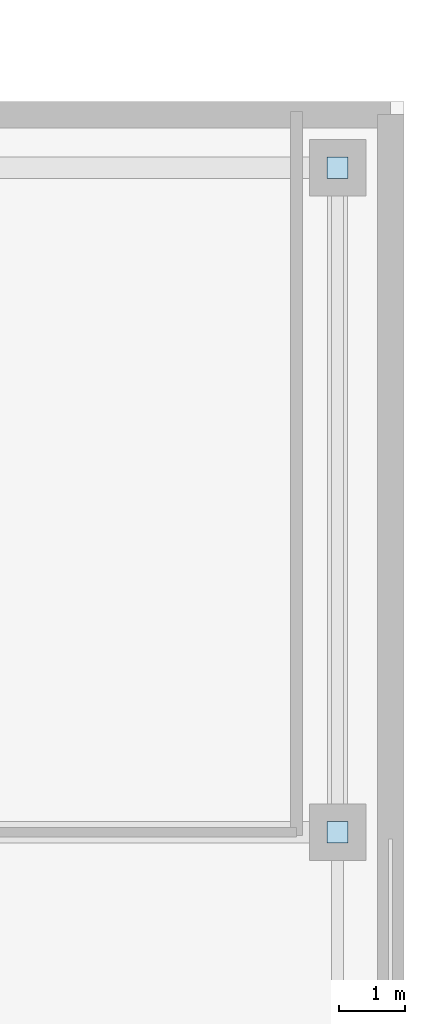
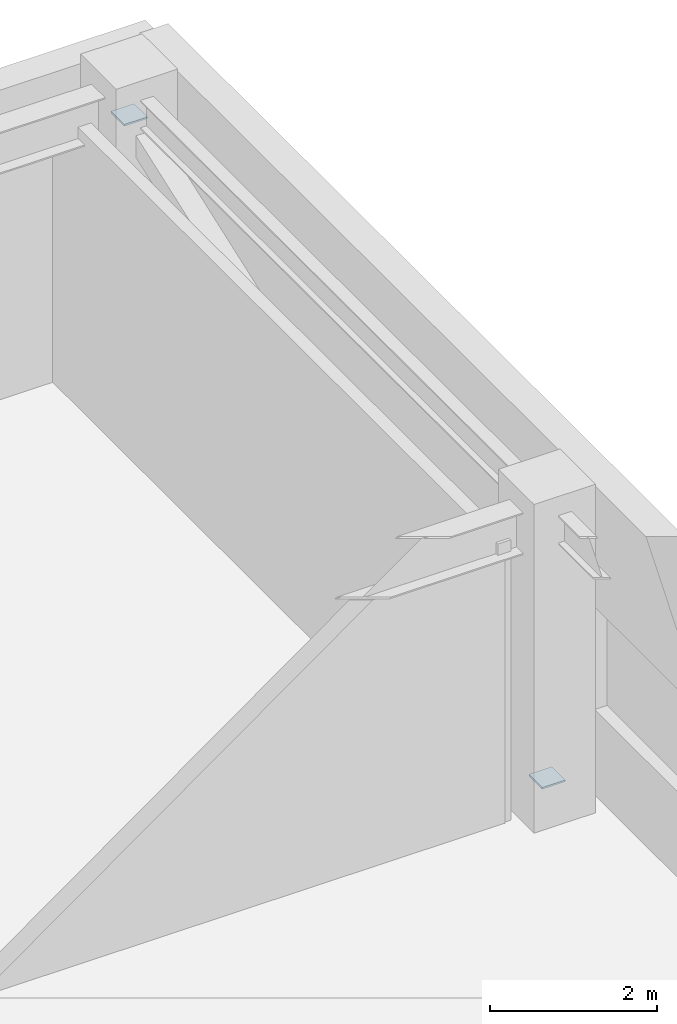
# One storey, part 26 of 40: 2 plates.
"""IFC4 building model written with IfcOpenShell, lengths in metres."""

from ifc_helpers import new_model, si_unit, direction, frame, origin, origin_2d, place, context, subcontext, project, spatial, rectangle, extrude, material, layer, layer_set, type_object, element, save


model = new_model("IFC4")

# Units and contexts
model_context = context("Model", 3, precision=1e-05, world=origin(), true_north=direction((0.0, 1.0)))
body_context = subcontext(model_context, "Body", "Model", "MODEL_VIEW")
ifc_project = project(units=[si_unit("LENGTHUNIT", "METRE"), si_unit("AREAUNIT", "SQUARE_METRE"), si_unit("VOLUMEUNIT", "CUBIC_METRE"), si_unit("PLANEANGLEUNIT", "RADIAN"), si_unit("MASSUNIT", "GRAM", prefix="KILO")], contexts=[model_context])

# Site, building, storey
site_placement = place(None, origin())
site = spatial("IfcSite", under=ifc_project, at=site_placement, CompositionType="ELEMENT")
building_placement = place(site_placement, origin())
building = spatial("IfcBuilding", under=site, at=building_placement, Name="Kazevale Care Tower and Concert Hall", CompositionType="ELEMENT")
storey_placement = place(building_placement, frame((0.0, 0.0, 9.60009765625)))
storey = spatial("IfcBuildingStorey", under=building, at=storey_placement, Name="L02", CompositionType="ELEMENT", Elevation=9.60009765625)

# Plates
ifc_material = material(Name="Steel ASTM A572 Gr 50", Category="steel")
ifc_layer = layer(ifc_material, 0.02490234375)
ifc_layer_set = layer_set([ifc_layer], Name="Steel ASTM A572 Gr 50")
plate_type = type_object("IfcPlateType", Name="Hollow Section End Cap Plate 25mm", PredefinedType="USERDEFINED", material=ifc_layer_set)
for number, where, z_axis, x_axis, name in (
    (1, (145.0, 47.0, 0.387451171875), (0.0, 0.0, 1.0), (1.0, 0.0, 0.0), "brace:L02:hwW:cap0"),
    (2, (145.0, 57.0, 4.007568359375), (0.0, 0.0, 1.0), (1.0, 0.0, 0.0), "brace:L02:hwW:cap1"),
):
    element("IfcPlate", number, at=place(storey_placement, frame(where, z_axis=z_axis, x_axis=x_axis)), inside=storey, type_object=plate_type, Name=name, ObjectType="END_CAP_PLATE", PredefinedType="USERDEFINED", context=body_context, shape_type="SweptSolid", body=[
        extrude(rectangle(XDim=0.320068359375, YDim=0.320068359375, at=origin_2d()), origin(), (0.0, 0.0, 1.0), 0.02490234375),
    ])

save(model, "model.ifc")
